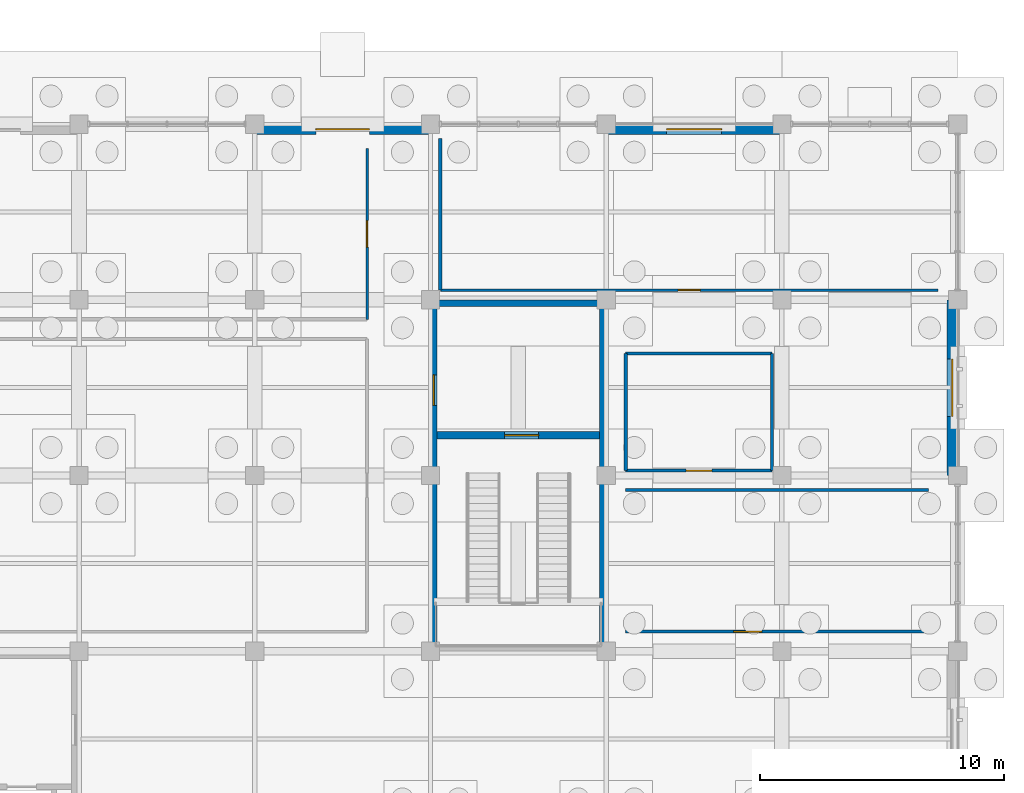
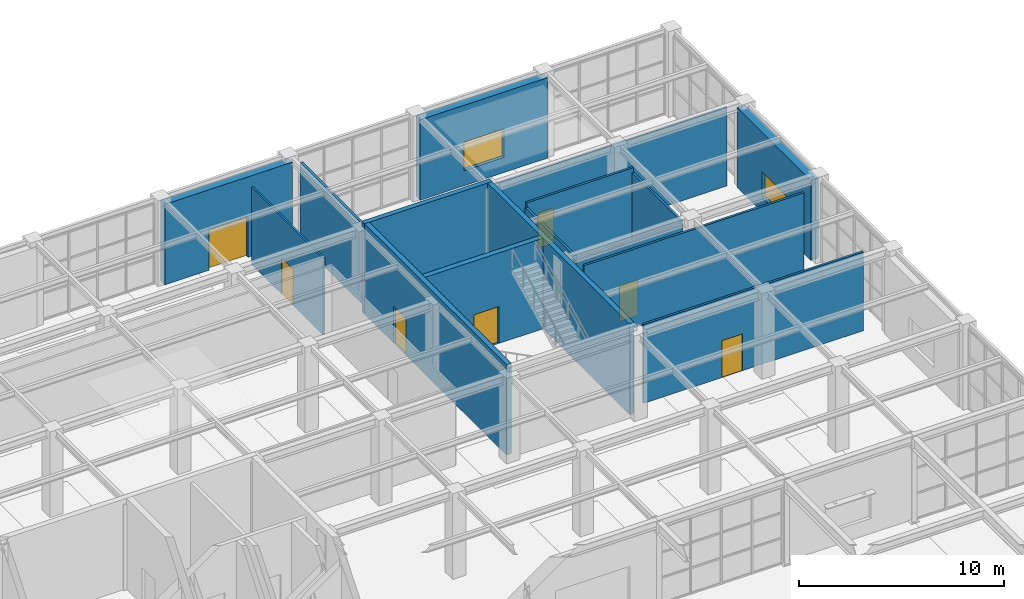
# One storey, part 63 of 75: 16 walls, 7 doors, 2 windows, 9 openings.
"""IFC4 building model written with IfcOpenShell, lengths in metres."""

from ifc_helpers import new_model, si_unit, direction, frame, frame_2d, origin, place, context, subcontext, project, spatial, rectangle, extrude, material, layer, layer_set, type_object, element, fill, save


model = new_model("IFC4")

# Units and contexts
model_context = context("Model", 3, precision=1e-05, world=origin(), true_north=direction((0.0, 1.0)))
body_context = subcontext(model_context, "Body", "Model", "MODEL_VIEW")
ifc_project = project(units=[si_unit("LENGTHUNIT", "METRE"), si_unit("AREAUNIT", "SQUARE_METRE"), si_unit("VOLUMEUNIT", "CUBIC_METRE"), si_unit("PLANEANGLEUNIT", "RADIAN"), si_unit("MASSUNIT", "GRAM", prefix="KILO")], contexts=[model_context])

# Site, building, storey
site_placement = place(None, origin())
site = spatial("IfcSite", under=ifc_project, at=site_placement, CompositionType="ELEMENT")
building_placement = place(site_placement, origin())
building = spatial("IfcBuilding", under=site, at=building_placement, Name="Leyfeld Transit Interchange", CompositionType="ELEMENT")
storey_placement = place(building_placement, origin())
storey = spatial("IfcBuildingStorey", under=building, at=storey_placement, Name="L00", CompositionType="ELEMENT", Elevation=0.0)

# Wall, opening, door
ifc_material_1 = material(Name="Clinker brick masonry - Insulated", Category="masonry")
ifc_layer_1 = layer(ifc_material_1, 0.419921875, Name="Clinker brick masonry - Insulated")
ifc_layer_set_1 = layer_set([ifc_layer_1], Name="Clinker brick masonry - Insulated")
wall_type_1 = type_object("IfcWallType", Name="WL-EXT-BRK-420", PredefinedType="SOLIDWALL", material=ifc_layer_set_1)
wall_1_placement = place(storey_placement, frame((158.39990234375, 93.389892578125, 0.0), z_axis=(0.0, 0.0, 1.0), x_axis=(1.0, 0.0, 0.0)))
wall_1 = element("IfcWall", 1, at=wall_1_placement, inside=storey, type_object=wall_type_1, Name="External Facade Wall EW-L00-034", PredefinedType="SOLIDWALL", context=body_context, shape_type="SweptSolid", body=[
    extrude(rectangle(XDim=7.2001953125, YDim=0.419921875, at=frame_2d((3.60009765625, 0.0))), origin(), (0.0, 0.0, 1.0), 4.800048828125),
])
opening_1_placement = place(wall_1_placement, frame((2.5, 0.0, 0.0)))
opening_1 = element("IfcOpeningElement", 2, at=opening_1_placement, cuts=wall_1, Name="Opening DE-02", PredefinedType="OPENING", context=body_context, shape_type="SweptSolid", body=[
    extrude(rectangle(XDim=2.199951171875, YDim=2.39990234375, at=frame_2d((1.10009765625, 1.199951171875))), frame((0.0, 0.219970703125, 0.0), z_axis=(0.0, -1.0, 0.0), x_axis=(1.0, 0.0, 0.0)), (0.0, 0.0, 1.0), 0.43994140625),
])
ifc_material_2 = material(Name="Anodised aluminium EN AW-6060 T66", Category="aluminium")
door_type_1 = type_object("IfcDoorType", Name="DR-EXT-DBL-2200x2400", OperationType="NOTDEFINED", PredefinedType="DOOR", material=ifc_material_2)
door_1_placement = place(opening_1_placement, origin())
door_1 = element("IfcDoor", 3, at=door_1_placement, inside=storey, type_object=door_type_1, Name="DR-EXT-L00-016", OperationType="DOUBLE_DOOR_SINGLE_SWING", OverallHeight=2.39990234375, OverallWidth=2.199951171875, PredefinedType="DOOR", context=body_context, shape_type="SweptSolid", body=[
    extrude(rectangle(XDim=2.199951171875, YDim=2.39990234375, at=frame_2d((1.10009765625, 1.199951171875))), frame((0.0, 0.02490234375, 0.0), z_axis=(0.0, -1.0, 0.0), x_axis=(1.0, 0.0, 0.0)), (0.0, 0.0, 1.0), 0.050048828125),
])
fill(opening_1, door_1)

# Wall, opening, window
wall_2_placement = place(storey_placement, frame((172.800048828125, 93.389892578125, 0.0), z_axis=(0.0, 0.0, 1.0), x_axis=(1.0, 0.0, 0.0)))
wall_2 = element("IfcWall", 4, at=wall_2_placement, inside=storey, type_object=wall_type_1, Name="External Facade Wall EW-L00-035", PredefinedType="SOLIDWALL", context=body_context, shape_type="SweptSolid", body=[
    extrude(rectangle(XDim=7.199951171875, YDim=0.419921875, at=frame_2d((3.60009765625, 0.0))), origin(), (0.0, 0.0, 1.0), 4.800048828125),
])
opening_2_placement = place(wall_2_placement, frame((2.47509765625, 0.0, 0.89990234375)))
opening_2 = element("IfcOpeningElement", 5, at=opening_2_placement, cuts=wall_2, Name="Opening WU-11", PredefinedType="OPENING", context=body_context, shape_type="SweptSolid", body=[
    extrude(rectangle(XDim=2.25, YDim=1.699951171875, at=frame_2d((1.125, 0.85009765625))), frame((0.0, 0.219970703125, 0.0), z_axis=(0.0, -1.0, 0.0), x_axis=(1.0, 0.0, 0.0)), (0.0, 0.0, 1.0), 0.43994140625),
])
ifc_material_3 = material(Name="Triple low-E insulated glazing", Category="glass")
window_type_1 = type_object("IfcWindowType", Name="WIN-UNQ-11", PartitioningType="SINGLE_PANEL", PredefinedType="WINDOW", material=ifc_material_3)
window_1_placement = place(opening_2_placement, origin())
window_1 = element("IfcWindow", 6, at=window_1_placement, inside=storey, type_object=window_type_1, Name="Facade Window L00 011", OverallHeight=1.699951171875, OverallWidth=2.25, PartitioningType="SINGLE_PANEL", PredefinedType="WINDOW", context=body_context, shape_type="SweptSolid", body=[
    extrude(rectangle(XDim=2.25, YDim=1.699951171875, at=frame_2d((1.125, 0.85009765625))), frame((0.0, 0.030029296875, 0.0), z_axis=(0.0, -1.0, 0.0), x_axis=(1.0, 0.0, 0.0)), (0.0, 0.0, 1.0), 0.06005859375),
])
fill(opening_2, window_1)

ifc_material_4 = material(Name="Leitha limestone ashlar - Insulated", Category="masonry")
ifc_layer_2 = layer(ifc_material_4, 0.43994140625, Name="Leitha limestone ashlar - Insulated")
ifc_layer_set_2 = layer_set([ifc_layer_2], Name="Leitha limestone ashlar - Insulated")
wall_type_2 = type_object("IfcWallType", Name="WL-EXT-STN-440", PredefinedType="SOLIDWALL", material=ifc_layer_set_2)
wall_3_placement = place(storey_placement, frame((186.97998046875, 86.39990234375, 0.0), z_axis=(0.0, 0.0, 1.0), x_axis=(0.0, -1.0, 0.0)))
wall_3 = element("IfcWall", 7, at=wall_3_placement, inside=storey, type_object=wall_type_2, Name="External Facade Wall EW-L00-036", PredefinedType="SOLIDWALL", context=body_context, shape_type="SweptSolid", body=[
    extrude(rectangle(XDim=7.199951171875, YDim=0.43994140625, at=frame_2d((3.60009765625, 0.0))), origin(), (0.0, 0.0, 1.0), 4.77001953125),
])
opening_3_placement = place(wall_3_placement, frame((2.425048828125, 0.0, 0.89990234375)))
opening_3 = element("IfcOpeningElement", 8, at=opening_3_placement, cuts=wall_3, Name="Opening WU-12", PredefinedType="OPENING", context=body_context, shape_type="SweptSolid", body=[
    extrude(rectangle(XDim=2.35009765625, YDim=1.5, at=frame_2d((1.175048828125, 0.75))), frame((0.0, 0.22998046875, 0.0), z_axis=(0.0, -1.0, 0.0), x_axis=(1.0, 0.0, 0.0)), (0.0, 0.0, 1.0), 0.4599609375),
])
window_type_2 = type_object("IfcWindowType", Name="WIN-UNQ-12", PartitioningType="SINGLE_PANEL", PredefinedType="WINDOW", material=ifc_material_3)
window_2_placement = place(opening_3_placement, origin())
window_2 = element("IfcWindow", 9, at=window_2_placement, inside=storey, type_object=window_type_2, Name="Facade Window L00 012", OverallHeight=1.5, OverallWidth=2.35009765625, PartitioningType="SINGLE_PANEL", PredefinedType="WINDOW", context=body_context, shape_type="SweptSolid", body=[
    extrude(rectangle(XDim=2.35009765625, YDim=1.5, at=frame_2d((1.175048828125, 0.75))), frame((0.0, 0.030029296875, 0.0), z_axis=(0.0, -1.0, 0.0), x_axis=(1.0, 0.0, 0.0)), (0.0, 0.0, 1.0), 0.06005859375),
])
fill(opening_3, window_2)

# Wall, opening, door
ifc_material_5 = material(Name="Laminated safety acoustic glazing", Category="glass")
ifc_layer_3 = layer(ifc_material_5, 0.10498046875, Name="Laminated safety acoustic glazing")
ifc_layer_set_3 = layer_set([ifc_layer_3], Name="Laminated safety acoustic glazing")
wall_type_3 = type_object("IfcWallType", Name="WL-INT-GLZ-105", PredefinedType="PARTITIONING", material=ifc_layer_set_3)
wall_4_placement = place(storey_placement, frame((186.39990234375, 86.800048828125, 0.0), z_axis=(0.0, 0.0, 1.0), x_axis=(-1.0, 0.0, 0.0)))
wall_4 = element("IfcWall", 10, at=wall_4_placement, inside=storey, type_object=wall_type_3, Name="Interior Partition L00-LNG-V4 S", PredefinedType="PARTITIONING", context=body_context, shape_type="SweptSolid", body=[
    extrude(rectangle(XDim=20.39990234375, YDim=0.10498046875, at=frame_2d((10.199951171875, 0.0))), origin(), (0.0, 0.0, 1.0), 4.699951171875),
])
opening_4_placement = place(wall_4_placement, frame((9.75, 0.0, 0.0)))
opening_4 = element("IfcOpeningElement", 11, at=opening_4_placement, cuts=wall_4, Name="Opening DV-01", PredefinedType="OPENING", context=body_context, shape_type="SweptSolid", body=[
    extrude(rectangle(XDim=0.89990234375, YDim=2.10009765625, at=frame_2d((0.449951171875, 1.050048828125))), frame((0.0, 0.0625, 0.0), z_axis=(0.0, -1.0, 0.0), x_axis=(1.0, 0.0, 0.0)), (0.0, 0.0, 1.0), 0.125),
])
ifc_material_6 = material(Name="Austrian larch glulam GL28h", Category="wood")
door_type_2 = type_object("IfcDoorType", Name="DR-VAR-01", OperationType="NOTDEFINED", PredefinedType="DOOR", material=ifc_material_6)
door_2_placement = place(opening_4_placement, origin())
door_2 = element("IfcDoor", 12, at=door_2_placement, inside=storey, type_object=door_type_2, Name="DR-L00-LNG-V4", OperationType="SINGLE_SWING_LEFT", OverallHeight=2.10009765625, OverallWidth=0.89990234375, PredefinedType="DOOR", context=body_context, shape_type="SweptSolid", body=[
    extrude(rectangle(XDim=0.89990234375, YDim=2.10009765625, at=frame_2d((0.449951171875, 1.050048828125))), frame((0.0, 0.02490234375, 0.0), z_axis=(0.0, -1.0, 0.0), x_axis=(1.0, 0.0, 0.0)), (0.0, 0.0, 1.0), 0.050048828125),
])
fill(opening_4, door_2)

wall_5_placement = place(storey_placement, frame((163.0, 92.60009765625, 0.0), z_axis=(0.0, 0.0, 1.0), x_axis=(0.0, -1.0, 0.0)))
wall_5 = element("IfcWall", 13, at=wall_5_placement, inside=storey, type_object=wall_type_3, Name="Interior Partition L00-RET-03 E", PredefinedType="PARTITIONING", context=body_context, shape_type="SweptSolid", body=[
    extrude(rectangle(XDim=7.0, YDim=0.10498046875, at=frame_2d((3.5, 0.0))), origin(), (0.0, 0.0, 1.0), 4.60009765625),
])
opening_5_placement = place(wall_5_placement, frame((2.9599609375, 0.0, 0.0)))
opening_5 = element("IfcOpeningElement", 14, at=opening_5_placement, cuts=wall_5, Name="Opening DV-03", PredefinedType="OPENING", context=body_context, shape_type="SweptSolid", body=[
    extrude(rectangle(XDim=1.080078125, YDim=2.14990234375, at=frame_2d((0.5400390625, 1.074951171875))), frame((0.0, 0.0625, 0.0), z_axis=(0.0, -1.0, 0.0), x_axis=(1.0, 0.0, 0.0)), (0.0, 0.0, 1.0), 0.125),
])
door_type_3 = type_object("IfcDoorType", Name="DR-VAR-03", OperationType="NOTDEFINED", PredefinedType="DOOR", material=ifc_material_6)
door_3_placement = place(opening_5_placement, origin())
door_3 = element("IfcDoor", 15, at=door_3_placement, inside=storey, type_object=door_type_3, Name="DR-L00-RET-03", OperationType="SINGLE_SWING_LEFT", OverallHeight=2.14990234375, OverallWidth=1.080078125, PredefinedType="DOOR", context=body_context, shape_type="SweptSolid", body=[
    extrude(rectangle(XDim=1.080078125, YDim=2.14990234375, at=frame_2d((0.5400390625, 1.074951171875))), frame((0.0, 0.02490234375, 0.0), z_axis=(0.0, -1.0, 0.0), x_axis=(1.0, 0.0, 0.0)), (0.0, 0.0, 1.0), 0.050048828125),
])
fill(opening_5, door_3)

# Walls
ifc_material_7 = material(Name="Gypsum plasterboard acoustic stud", Category="gypsum")
ifc_layer_4 = layer(ifc_material_7, 0.14501953125, Name="Gypsum plasterboard acoustic stud")
ifc_layer_set_4 = layer_set([ifc_layer_4], Name="Gypsum plasterboard acoustic stud")
wall_type_4 = type_object("IfcWallType", Name="WL-INT-STD-145", PredefinedType="PARTITIONING", material=ifc_layer_set_4)
wall_6_placement = place(storey_placement, frame((166.0, 86.800048828125, 0.0), z_axis=(0.0, 0.0, 1.0), x_axis=(0.0, 1.0, 0.0)))
element("IfcWall", 16, at=wall_6_placement, inside=storey, type_object=wall_type_4, Name="Interior Partition L00-LNG-V4 W", PredefinedType="PARTITIONING", context=body_context, shape_type="SweptSolid", body=[
    extrude(rectangle(XDim=6.199951171875, YDim=0.14501953125, at=frame_2d((3.10009765625, 0.0))), origin(), (0.0, 0.0, 1.0), 4.77001953125),
])
ifc_material_8 = material(Name="Autoclaved aerated blockwork G4", Category="masonry")
ifc_layer_5 = layer(ifc_material_8, 0.125, Name="Autoclaved aerated blockwork G4")
ifc_layer_set_5 = layer_set([ifc_layer_5], Name="Autoclaved aerated blockwork G4")
wall_type_5 = type_object("IfcWallType", Name="WL-INT-WC-125", PredefinedType="PARTITIONING", material=ifc_layer_set_5)
wall_7_placement = place(storey_placement, frame((173.60009765625, 78.60009765625, 0.0), z_axis=(0.0, 0.0, 1.0), x_axis=(1.0, 0.0, 0.0)))
element("IfcWall", 17, at=wall_7_placement, inside=storey, type_object=wall_type_5, Name="Interior Partition L00-WCM-02 N", PredefinedType="PARTITIONING", context=body_context, shape_type="SweptSolid", body=[
    extrude(rectangle(XDim=12.39990234375, YDim=0.125, at=frame_2d((6.199951171875, 0.0))), origin(), (0.0, 0.0, 1.0), 4.699951171875),
])

# Wall, opening, door
wall_8_placement = place(storey_placement, frame((186.0, 72.800048828125, 0.0), z_axis=(0.0, 0.0, 1.0), x_axis=(-1.0, 0.0, 0.0)))
wall_8 = element("IfcWall", 18, at=wall_8_placement, inside=storey, type_object=wall_type_5, Name="Interior Partition L00-WCM-02 S", PredefinedType="PARTITIONING", context=body_context, shape_type="SweptSolid", body=[
    extrude(rectangle(XDim=12.39990234375, YDim=0.125, at=frame_2d((6.199951171875, 0.0))), origin(), (0.0, 0.0, 1.0), 4.699951171875),
])
opening_6_placement = place(wall_8_placement, frame((6.824951171875, 0.0, 0.0)))
opening_6 = element("IfcOpeningElement", 19, at=opening_6_placement, cuts=wall_8, Name="Opening DV-04", PredefinedType="OPENING", context=body_context, shape_type="SweptSolid", body=[
    extrude(rectangle(XDim=1.14990234375, YDim=2.199951171875, at=frame_2d((0.574951171875, 1.10009765625))), frame((0.0, 0.072509765625, 0.0), z_axis=(0.0, -1.0, 0.0), x_axis=(1.0, 0.0, 0.0)), (0.0, 0.0, 1.0), 0.14501953125),
])
door_type_4 = type_object("IfcDoorType", Name="DR-VAR-04", OperationType="NOTDEFINED", PredefinedType="DOOR", material=ifc_material_6)
door_4_placement = place(opening_6_placement, origin())
door_4 = element("IfcDoor", 20, at=door_4_placement, inside=storey, type_object=door_type_4, Name="DR-L00-WCM-02", OperationType="SINGLE_SWING_RIGHT", OverallHeight=2.199951171875, OverallWidth=1.14990234375, PredefinedType="DOOR", context=body_context, shape_type="SweptSolid", body=[
    extrude(rectangle(XDim=1.14990234375, YDim=2.199951171875, at=frame_2d((0.574951171875, 1.10009765625))), frame((0.0, 0.02490234375, 0.0), z_axis=(0.0, -1.0, 0.0), x_axis=(1.0, 0.0, 0.0)), (0.0, 0.0, 1.0), 0.050048828125),
])
fill(opening_6, door_4)

# Wall
wall_9_placement = place(storey_placement, frame((173.60009765625, 84.199951171875, 0.0), z_axis=(0.0, 0.0, 1.0), x_axis=(1.0, 0.0, 0.0)))
element("IfcWall", 21, at=wall_9_placement, inside=storey, type_object=wall_type_5, Name="Interior Partition L00-WCA-03 N", PredefinedType="PARTITIONING", context=body_context, shape_type="SweptSolid", body=[
    extrude(rectangle(XDim=6.0, YDim=0.125, at=frame_2d((3.0, 0.0))), origin(), (0.0, 0.0, 1.0), 5.050048828125),
])

# Wall, opening, door
wall_10_placement = place(storey_placement, frame((179.60009765625, 79.39990234375, 0.0), z_axis=(0.0, 0.0, 1.0), x_axis=(-1.0, 0.0, 0.0)))
wall_10 = element("IfcWall", 22, at=wall_10_placement, inside=storey, type_object=wall_type_5, Name="Interior Partition L00-WCA-03 S", PredefinedType="PARTITIONING", context=body_context, shape_type="SweptSolid", body=[
    extrude(rectangle(XDim=6.0, YDim=0.125, at=frame_2d((3.0, 0.0))), origin(), (0.0, 0.0, 1.0), 4.60009765625),
])
opening_7_placement = place(wall_10_placement, frame((2.47509765625, 0.0, 0.0)))
opening_7 = element("IfcOpeningElement", 23, at=opening_7_placement, cuts=wall_10, Name="Opening DI-09", PredefinedType="OPENING", context=body_context, shape_type="SweptSolid", body=[
    extrude(rectangle(XDim=1.050048828125, YDim=2.10009765625, at=frame_2d((0.52490234375, 1.050048828125))), frame((0.0, 0.072509765625, 0.0), z_axis=(0.0, -1.0, 0.0), x_axis=(1.0, 0.0, 0.0)), (0.0, 0.0, 1.0), 0.14501953125),
])
door_type_5 = type_object("IfcDoorType", Name="DR-WCA-1050x2100", OperationType="NOTDEFINED", PredefinedType="DOOR", material=ifc_material_6)
door_5_placement = place(opening_7_placement, origin())
door_5 = element("IfcDoor", 24, at=door_5_placement, inside=storey, type_object=door_type_5, Name="DR-L00-WCA-03", OperationType="SINGLE_SWING_LEFT", OverallHeight=2.10009765625, OverallWidth=1.050048828125, PredefinedType="DOOR", context=body_context, shape_type="SweptSolid", body=[
    extrude(rectangle(XDim=1.050048828125, YDim=2.10009765625, at=frame_2d((0.52490234375, 1.050048828125))), frame((0.0, 0.02490234375, 0.0), z_axis=(0.0, -1.0, 0.0), x_axis=(1.0, 0.0, 0.0)), (0.0, 0.0, 1.0), 0.050048828125),
])
fill(opening_7, door_5)

# Walls
for number, where, z_axis, x_axis, name in (
    (25, (179.60009765625, 84.199951171875, 0.0), (0.0, 0.0, 1.0), (0.0, -1.0, 0.0), "Interior Partition L00-WCA-03 E"),
    (26, (173.60009765625, 79.39990234375, 0.0), (0.0, 0.0, 1.0), (0.0, 1.0, 0.0), "Interior Partition L00-WCA-03 W"),
):
    element("IfcWall", number, at=place(storey_placement, frame(where, z_axis=z_axis, x_axis=x_axis)), inside=storey, type_object=wall_type_5, Name=name, PredefinedType="PARTITIONING", context=body_context, shape_type="SweptSolid", body=[
        extrude(rectangle(XDim=4.800048828125, YDim=0.125, at=frame_2d((2.39990234375, 0.0))), origin(), (0.0, 0.0, 1.0), 4.77001953125),
    ])

# Wall, opening, door
ifc_material_9 = material(Name="Concrete C35/45", Category="concrete")
ifc_layer_6 = layer(ifc_material_9, 0.300048828125, Name="Concrete C35/45")
ifc_layer_set_6 = layer_set([ifc_layer_6], Name="Concrete C35/45")
wall_type_6 = type_object("IfcWallType", Name="WL-SH-300", PredefinedType="SHEAR", material=ifc_layer_set_6)
wall_11_placement = place(storey_placement, frame((165.8701171875, 80.85009765625, 0.0), z_axis=(0.0, 0.0, 1.0), x_axis=(1.0, 0.0, 0.0)))
wall_11 = element("IfcWall", 27, at=wall_11_placement, inside=storey, type_object=wall_type_6, Name="Core K5 Shear Wall STRN L00", PredefinedType="SHEAR", context=body_context, shape_type="SweptSolid", body=[
    extrude(rectangle(XDim=6.659912109375, YDim=0.300048828125, at=frame_2d((3.330078125, 0.0))), origin(), (0.0, 0.0, 1.0), 5.39990234375),
])
opening_8_placement = place(wall_11_placement, frame((2.764892578125, 0.0, 0.0)))
opening_8 = element("IfcOpeningElement", 28, at=opening_8_placement, cuts=wall_11, Name="Opening DI-01", PredefinedType="OPENING", context=body_context, shape_type="SweptSolid", body=[
    extrude(rectangle(XDim=1.39990234375, YDim=2.199951171875, at=frame_2d((0.699951171875, 1.10009765625))), frame((0.0, 0.159912109375, 0.0), z_axis=(0.0, -1.0, 0.0), x_axis=(1.0, 0.0, 0.0)), (0.0, 0.0, 1.0), 0.320068359375),
])
ifc_material_10 = material(Name="Galvanised steel S275JR", Category="steel")
door_type_6 = type_object("IfcDoorType", Name="DR-STR-1400x2200", OperationType="NOTDEFINED", PredefinedType="DOOR", material=ifc_material_10)
door_6_placement = place(opening_8_placement, origin())
door_6 = element("IfcDoor", 29, at=door_6_placement, inside=storey, type_object=door_type_6, Name="DR-STR-INT-K5-L00", OperationType="SINGLE_SWING_LEFT", OverallHeight=2.199951171875, OverallWidth=1.39990234375, PredefinedType="DOOR", context=body_context, shape_type="SweptSolid", body=[
    extrude(rectangle(XDim=1.39990234375, YDim=2.199951171875, at=frame_2d((0.699951171875, 1.10009765625))), frame((0.0, 0.02490234375, 0.0), z_axis=(0.0, -1.0, 0.0), x_axis=(1.0, 0.0, 0.0)), (0.0, 0.0, 1.0), 0.050048828125),
])
fill(opening_8, door_6)

# Walls
ifc_layer_7 = layer(ifc_material_9, 0.27001953125, Name="Concrete C35/45")
ifc_layer_set_7 = layer_set([ifc_layer_7], Name="Concrete C35/45")
wall_type_7 = type_object("IfcWallType", Name="WL-SH-VAR-270", PredefinedType="SHEAR", material=ifc_layer_set_7)
wall_12_placement = place(storey_placement, frame((165.60009765625, 86.264892578125, 0.0), z_axis=(0.0, 0.0, 1.0), x_axis=(1.0, 0.0, 0.0)))
element("IfcWall", 30, at=wall_12_placement, inside=storey, type_object=wall_type_7, Name="Core K5 Shear Wall N L00", PredefinedType="SHEAR", context=body_context, shape_type="SweptSolid", body=[
    extrude(rectangle(XDim=7.199951171875, YDim=0.27001953125, at=frame_2d((3.60009765625, 0.0))), origin(), (0.0, 0.0, 1.0), 5.39990234375),
])
wall_13_placement = place(storey_placement, frame((172.6650390625, 86.1298828125, 0.0), z_axis=(0.0, 0.0, 1.0), x_axis=(0.0, -1.0, 0.0)))
element("IfcWall", 31, at=wall_13_placement, inside=storey, type_object=wall_type_7, Name="Core K5 Shear Wall E L00", PredefinedType="SHEAR", context=body_context, shape_type="SweptSolid", body=[
    extrude(rectangle(XDim=13.85986328125, YDim=0.27001953125, at=frame_2d((6.929931640625, 0.0))), origin(), (0.0, 0.0, 1.0), 5.39990234375),
])

# Wall, opening, door
wall_14_placement = place(storey_placement, frame((165.735107421875, 72.27001953125, 0.0), z_axis=(0.0, 0.0, 1.0), x_axis=(0.0, 1.0, 0.0)))
wall_14 = element("IfcWall", 32, at=wall_14_placement, inside=storey, type_object=wall_type_7, Name="Core K5 Shear Wall W L00", PredefinedType="SHEAR", context=body_context, shape_type="SweptSolid", body=[
    extrude(rectangle(XDim=13.85986328125, YDim=0.27001953125, at=frame_2d((6.929931640625, 0.0))), origin(), (0.0, 0.0, 1.0), 5.39990234375),
])
opening_9_placement = place(wall_14_placement, frame((9.800048828125, 0.0, 0.0)))
opening_9 = element("IfcOpeningElement", 33, at=opening_9_placement, cuts=wall_14, Name="Opening DI-02", PredefinedType="OPENING", context=body_context, shape_type="SweptSolid", body=[
    extrude(rectangle(XDim=1.25, YDim=2.199951171875, at=frame_2d((0.625, 1.10009765625))), frame((0.0, 0.14501953125, 0.0), z_axis=(0.0, -1.0, 0.0), x_axis=(1.0, 0.0, 0.0)), (0.0, 0.0, 1.0), 0.2900390625),
])
door_type_7 = type_object("IfcDoorType", Name="DR-FFL-1250x2200", OperationType="NOTDEFINED", PredefinedType="DOOR", material=ifc_material_10)
door_7_placement = place(opening_9_placement, origin())
door_7 = element("IfcDoor", 34, at=door_7_placement, inside=storey, type_object=door_type_7, Name="DR-CORE-OUT-K5-L00", OperationType="SINGLE_SWING_RIGHT", OverallHeight=2.199951171875, OverallWidth=1.25, PredefinedType="DOOR", context=body_context, shape_type="SweptSolid", body=[
    extrude(rectangle(XDim=1.25, YDim=2.199951171875, at=frame_2d((0.625, 1.10009765625))), frame((0.0, 0.02490234375, 0.0), z_axis=(0.0, -1.0, 0.0), x_axis=(1.0, 0.0, 0.0)), (0.0, 0.0, 1.0), 0.050048828125),
])
fill(opening_9, door_7)

save(model, "model.ifc")
